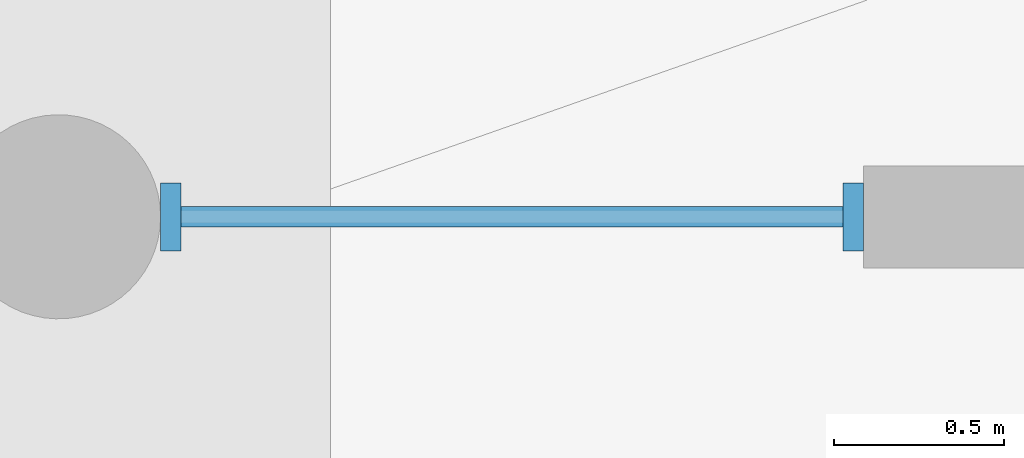
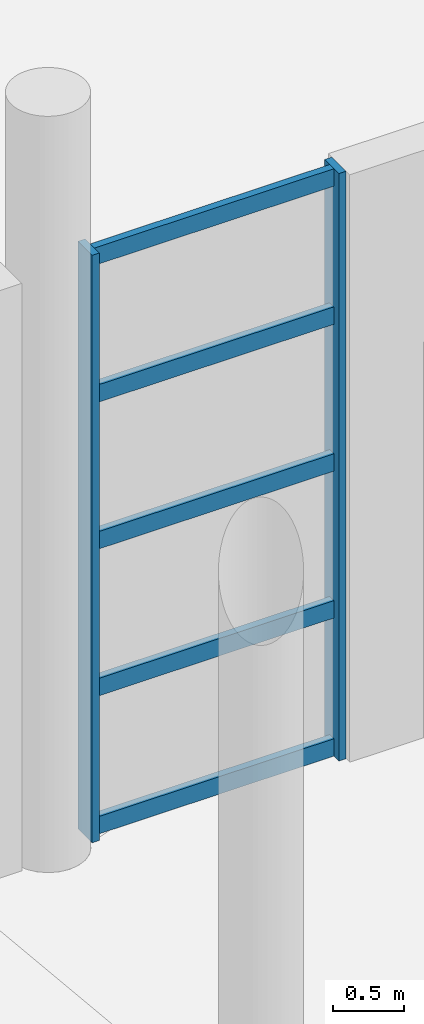
# One storey, part 55 of 255: 7 members, 1 element without a shape of its own.
"""IFC4 building model written with IfcOpenShell, lengths in metres."""

from ifc_helpers import new_model, si_unit, direction, frame, origin, origin_2d, place, context, subcontext, project, spatial, rectangle, extrude, material, layer, layer_set, material_profile, profile_set, type_object, element, aggregate, save


model = new_model("IFC4")

# Units and contexts
model_context = context("Model", 3, precision=1e-05, world=origin(), true_north=direction((0.0, 1.0)))
body_context = subcontext(model_context, "Body", "Model", "MODEL_VIEW")
ifc_project = project(units=[si_unit("LENGTHUNIT", "METRE"), si_unit("AREAUNIT", "SQUARE_METRE"), si_unit("VOLUMEUNIT", "CUBIC_METRE"), si_unit("PLANEANGLEUNIT", "RADIAN"), si_unit("MASSUNIT", "GRAM", prefix="KILO")], contexts=[model_context])

# Site, building, storey
site_placement = place(None, origin())
site = spatial("IfcSite", under=ifc_project, at=site_placement, CompositionType="ELEMENT")
building_placement = place(site_placement, origin())
building = spatial("IfcBuilding", under=site, at=building_placement, Name="Meseta Stadium", CompositionType="ELEMENT")
storey_placement = place(building_placement, origin())
storey = spatial("IfcBuildingStorey", under=building, at=storey_placement, Name="L00", CompositionType="ELEMENT", Elevation=0.0)

# Curtain wall, members
ifc_material_1 = material(Name="Aluminium", Category="aluminium")
ifc_layer = layer(ifc_material_1, 0.199951171875)
ifc_layer_set = layer_set([ifc_layer], Name="Gate hall curtain wall")
curtain_wall_type = type_object("IfcCurtainWallType", Name="Gate hall curtain wall", PredefinedType="NOTDEFINED", material=ifc_layer_set)
curtain_wall_placement = place(storey_placement, origin())
curtain_wall = element("IfcCurtainWall", 1, at=curtain_wall_placement, inside=storey, type_object=curtain_wall_type, Name="Gate 3 glazing", PredefinedType="NOTDEFINED")
ifc_material_2 = material(Name="Aluminium", Category="aluminium")
ifc_material_profile_1 = material_profile(ifc_material_2, rectangle(XDim=0.199951171875, YDim=0.06005859375, at=origin_2d()), Name="CW 200x60")
ifc_profile_set_1 = profile_set([ifc_material_profile_1], Name="Aluminium")
member_type_1 = type_object("IfcMemberType", Name="Ring CW mullion 60x200", PredefinedType="MULLION", material=ifc_profile_set_1)
member_1_placement = place(storey_placement, frame((-5.330078125, 112.800048828125, 0.0), z_axis=(0.0, 0.0, 1.0), x_axis=(0.0, -1.0, 0.0)))
member_1 = element("IfcMember", 2, at=member_1_placement, type_object=member_type_1, Name="CWG1 mullion 1", PredefinedType="MULLION", context=body_context, shape_type="SweptSolid", body=[
    extrude(rectangle(XDim=0.199951171875, YDim=0.06005859375, at=origin_2d()), origin(), (0.0, 0.0, 1.0), 5.050048828125),
])
member_2_placement = place(storey_placement, frame((-7.336669921875, 112.800048828125, 0.0), z_axis=(0.0, 0.0, 1.0), x_axis=(0.0, -1.0, 0.0)))
member_2 = element("IfcMember", 3, at=member_2_placement, type_object=member_type_1, Name="CWG1 mullion 2", PredefinedType="MULLION", context=body_context, shape_type="SweptSolid", body=[
    extrude(rectangle(XDim=0.199951171875, YDim=0.06005859375, at=origin_2d()), origin(), (0.0, 0.0, 1.0), 5.050048828125),
])
ifc_material_3 = material(Name="Aluminium", Category="aluminium")
ifc_material_profile_2 = material_profile(ifc_material_3, rectangle(XDim=0.06005859375, YDim=0.14990234375, at=origin_2d()), Name="CW 60x150")
ifc_profile_set_2 = profile_set([ifc_material_profile_2], Name="Aluminium")
member_type_2 = type_object("IfcMemberType", Name="Ring CW transom 60x150", PredefinedType="USERDEFINED", material=ifc_profile_set_2)
member_3_placement = place(storey_placement, frame((-5.360107421875, 112.800048828125, 0.074951171875), z_axis=(-1.0, 0.0, 0.0), x_axis=(0.0, -1.0, 0.0)))
member_3 = element("IfcMember", 4, at=member_3_placement, type_object=member_type_2, Name="CWG1 transom 1.1", ObjectType="TRANSOM", PredefinedType="USERDEFINED", context=body_context, shape_type="SweptSolid", body=[
    extrude(rectangle(XDim=0.06005859375, YDim=0.14990234375, at=origin_2d()), origin(), (0.0, 0.0, 1.0), 1.946533203125),
])
member_4_placement = place(storey_placement, frame((-5.360107421875, 112.800048828125, 1.262451171875), z_axis=(-1.0, 0.0, 0.0), x_axis=(0.0, -1.0, 0.0)))
member_4 = element("IfcMember", 5, at=member_4_placement, type_object=member_type_2, Name="CWG1 transom 1.2", ObjectType="TRANSOM", PredefinedType="USERDEFINED", context=body_context, shape_type="SweptSolid", body=[
    extrude(rectangle(XDim=0.06005859375, YDim=0.14990234375, at=origin_2d()), origin(), (0.0, 0.0, 1.0), 1.946533203125),
])
member_5_placement = place(storey_placement, frame((-5.360107421875, 112.800048828125, 2.52490234375), z_axis=(-1.0, 0.0, 0.0), x_axis=(0.0, -1.0, 0.0)))
member_5 = element("IfcMember", 6, at=member_5_placement, type_object=member_type_2, Name="CWG1 transom 1.3", ObjectType="TRANSOM", PredefinedType="USERDEFINED", context=body_context, shape_type="SweptSolid", body=[
    extrude(rectangle(XDim=0.06005859375, YDim=0.14990234375, at=origin_2d()), origin(), (0.0, 0.0, 1.0), 1.946533203125),
])
member_6_placement = place(storey_placement, frame((-5.360107421875, 112.800048828125, 3.78759765625), z_axis=(-1.0, 0.0, 0.0), x_axis=(0.0, -1.0, 0.0)))
member_6 = element("IfcMember", 7, at=member_6_placement, type_object=member_type_2, Name="CWG1 transom 1.4", ObjectType="TRANSOM", PredefinedType="USERDEFINED", context=body_context, shape_type="SweptSolid", body=[
    extrude(rectangle(XDim=0.06005859375, YDim=0.14990234375, at=origin_2d()), origin(), (0.0, 0.0, 1.0), 1.946533203125),
])
member_7_placement = place(storey_placement, frame((-5.360107421875, 112.800048828125, 4.97509765625), z_axis=(-1.0, 0.0, 0.0), x_axis=(0.0, -1.0, 0.0)))
member_7 = element("IfcMember", 8, at=member_7_placement, type_object=member_type_2, Name="CWG1 transom 1.5", ObjectType="TRANSOM", PredefinedType="USERDEFINED", context=body_context, shape_type="SweptSolid", body=[
    extrude(rectangle(XDim=0.06005859375, YDim=0.14990234375, at=origin_2d()), origin(), (0.0, 0.0, 1.0), 1.946533203125),
])
aggregate(curtain_wall, [member_1, member_2, member_3, member_4, member_5, member_6, member_7])

save(model, "model.ifc")
